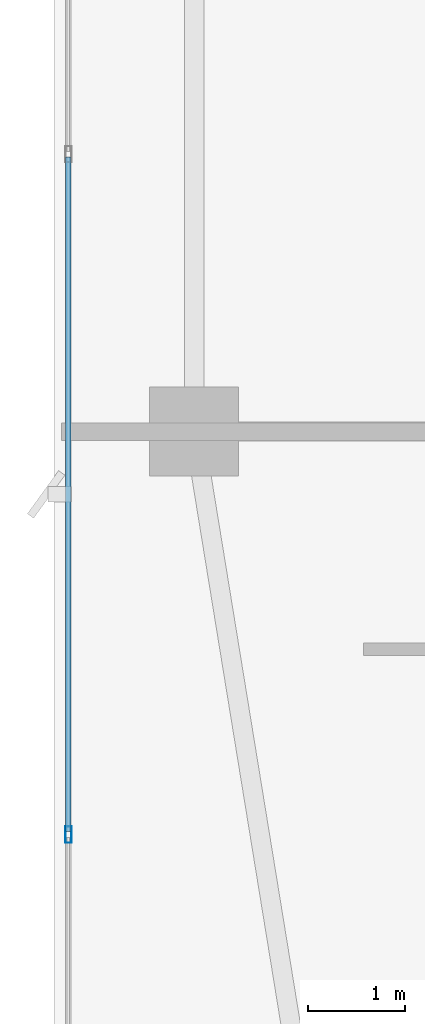
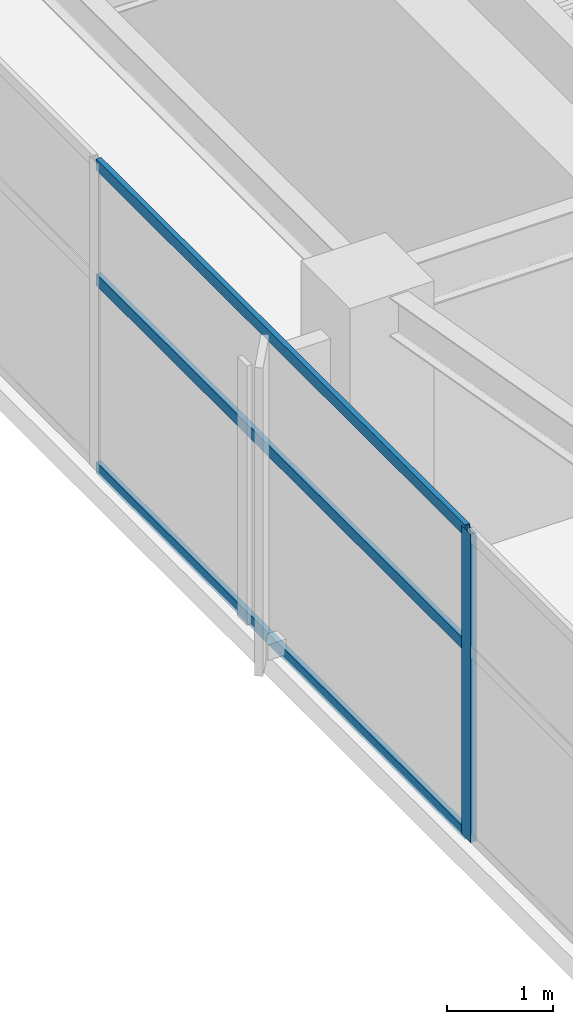
# One storey, part 5 of 28: 4 members, 1 element without a shape of its own.
"""IFC4 building model written with IfcOpenShell, lengths in metres."""

import ifcopenshell
import ifcopenshell.guid

model = None  # the IFC model being written
_history = None  # IfcOwnerHistory: only IFC2X3 demands one
_inside = {}  # id of a spatial element -> (the spatial element, [elements in it])
_under = {}  # id of a project, library or spatial element -> (it, [spatial elements below it])
_declared = {}  # id of a project -> (the project, [libraries it declares])
_typed = {}  # id of a type object -> (the type object, [elements of that type])
_made_of = {}  # id of a material, layer set ... -> (it, [elements and type objects made of it])


def new_model(schema):
    """Start an empty IFC model of exactly this schema.

    Asked for "IFC4X3", IfcOpenShell would pick the latest addendum, in which some entities
    have other attributes; the version numbers below select the first issue.
    IFC2X3 requires an IfcOwnerHistory on every rooted entity: one is made here for all.
    """
    global model, _history
    if schema == "IFC4X3":
        model = ifcopenshell.file(schema_version=(4, 3, 0, 0))
    else:
        model = ifcopenshell.file(schema=schema)
    _inside.clear()
    _under.clear()
    _declared.clear()
    _typed.clear()
    _made_of.clear()
    _history = None
    if model.schema == "IFC2X3":
        org = make("IfcOrganization", Name="unknown")
        user = make(
            "IfcPersonAndOrganization",
            ThePerson=make("IfcPerson", FamilyName="unknown"),
            TheOrganization=org,
        )
        app = make(
            "IfcApplication",
            ApplicationDeveloper=org,
            Version="unknown",
            ApplicationFullName="unknown",
            ApplicationIdentifier="unknown",
        )
        _history = make(
            "IfcOwnerHistory",
            OwningUser=user,
            OwningApplication=app,
            ChangeAction="ADDED",
            CreationDate=0,
        )
    return model


def make(cls, **values):
    """One entity of the class cls with the attributes given. An attribute that is None is left unset."""
    return model.create_entity(
        cls, **{name: value for name, value in values.items() if value is not None}
    )


def rooted(cls, **values):
    """An entity with a GlobalId (a new one), such as an element, a storey or a relation."""
    return make(cls, GlobalId=ifcopenshell.guid.new(), OwnerHistory=_history, **values)


def si_unit(unit_type, name, prefix=None):
    """IfcSIUnit, for example si_unit("LENGTHUNIT", "METRE", prefix="MILLI")."""
    return make("IfcSIUnit", UnitType=unit_type, Prefix=prefix, Name=name)


def assignment(units):
    """IfcUnitAssignment: the units of a project."""
    return None if units is None else make("IfcUnitAssignment", Units=units)


def point(xyz):
    """IfcCartesianPoint."""
    return None if xyz is None else make("IfcCartesianPoint", Coordinates=xyz)


def direction(xyz):
    """IfcDirection."""
    return None if xyz is None else make("IfcDirection", DirectionRatios=xyz)


def frame(location, z_axis=None, x_axis=None):
    """IfcAxis2Placement3D, a coordinate frame: its origin and axes. An axis left out is left unset."""
    return make(
        "IfcAxis2Placement3D",
        Location=point(location),
        Axis=direction(z_axis),
        RefDirection=direction(x_axis),
    )


def frame_2d(location, x_axis=None):
    """IfcAxis2Placement2D, a coordinate frame in the plane: its origin and x axis."""
    return make(
        "IfcAxis2Placement2D", Location=point(location), RefDirection=direction(x_axis)
    )


def origin():
    """The frame at (0, 0, 0) with its axes left unset."""
    return frame((0.0, 0.0, 0.0))


def origin_2d():
    """The frame at (0, 0) in the plane with its x axis left unset."""
    return frame_2d((0.0, 0.0))


def place(relative_to, where):
    """IfcLocalPlacement: puts the frame where relative to a parent placement (None: the world)."""
    return make(
        "IfcLocalPlacement", PlacementRelTo=relative_to, RelativePlacement=where
    )


def context(
    kind, dimensions, precision=None, world=None, true_north=None, identifier=None
):
    """IfcGeometricRepresentationContext, for example the 3D "Model" context."""
    return make(
        "IfcGeometricRepresentationContext",
        ContextIdentifier=identifier,
        ContextType=kind,
        CoordinateSpaceDimension=dimensions,
        Precision=precision,
        WorldCoordinateSystem=world,
        TrueNorth=true_north,
    )


def subcontext(parent, identifier, kind, view, scale=None):
    """IfcGeometricRepresentationSubContext, for example "Body" below "Model"."""
    return make(
        "IfcGeometricRepresentationSubContext",
        ContextIdentifier=identifier,
        ContextType=kind,
        ParentContext=parent,
        TargetScale=scale,
        TargetView=view,
    )


def project(units=None, contexts=None):
    """IfcProject with its units and contexts."""
    return rooted(
        "IfcProject",
        Name="project",
        RepresentationContexts=contexts,
        UnitsInContext=assignment(units),
    )


def spatial(cls, under=None, at=None, **own):
    """A site, building, storey or space (cls), placed at a placement, below another one or the project."""
    s = rooted(cls, ObjectPlacement=at, **own)
    if under is not None:
        _under.setdefault(under.id(), (under, []))[1].append(s)
    return s


def profile(cls, at=None, kind="AREA", **sizes):
    """A parametric profile (cls). Its sizes go by their IFC names, for example OverallWidth=200.0."""
    return make(cls, ProfileType=kind, Position=at, **sizes)


def hollow_rectangle(**sizes):
    """IfcRectangleHollowProfileDef."""
    return profile("IfcRectangleHollowProfileDef", **sizes)


def extrude(swept, where, along, depth):
    """IfcExtrudedAreaSolid: the profile swept, set in the frame where, extruded along a direction by depth."""
    return make(
        "IfcExtrudedAreaSolid",
        SweptArea=swept,
        Position=where,
        ExtrudedDirection=direction(along),
        Depth=depth,
    )


def shape(context_of_items, identifier, shape_type, items):
    """IfcShapeRepresentation: the items that make up one representation, for example the "Body"."""
    return make(
        "IfcShapeRepresentation",
        ContextOfItems=context_of_items,
        RepresentationIdentifier=identifier,
        RepresentationType=shape_type,
        Items=items,
    )


def material(Name=None, Category=None):
    """IfcMaterial."""
    return make("IfcMaterial", Name=Name, Category=Category)


def layer(
    of_material, thickness, ventilated=None, Name=None, Category=None, Priority=None
):
    """IfcMaterialLayer: one layer of a wall or slab, of a material (None: an air gap)."""
    return make(
        "IfcMaterialLayer",
        Material=of_material,
        LayerThickness=thickness,
        IsVentilated=ventilated,
        Name=Name,
        Category=Category,
        Priority=Priority,
    )


def layer_set(layers, Name=None):
    """IfcMaterialLayerSet."""
    return make("IfcMaterialLayerSet", MaterialLayers=layers, LayerSetName=Name)


def material_profile(
    of_material, cross_section, Name=None, Category=None, Priority=None
):
    """IfcMaterialProfile: a cross section and its material."""
    return make(
        "IfcMaterialProfile",
        Name=Name,
        Material=of_material,
        Profile=cross_section,
        Priority=Priority,
        Category=Category,
    )


def profile_set(profiles, Name=None, composite=None):
    """IfcMaterialProfileSet."""
    return make(
        "IfcMaterialProfileSet",
        Name=Name,
        MaterialProfiles=profiles,
        CompositeProfile=composite,
    )


def made_of(thing, what):
    """Note that an element or type object is made of a material, layer set ...; save() writes the relation."""
    if what is not None:
        _made_of.setdefault(what.id(), (what, []))[1].append(thing)
    return thing


def type_object(cls, material=None, **own):
    """A type object (cls), such as IfcWallType, which elements share."""
    return made_of(rooted(cls, **own), material)


def element(
    cls,
    number,
    at=None,
    inside=None,
    cuts=None,
    type_object=None,
    material=None,
    context=None,
    identifier="Body",
    shape_type=None,
    held_by="IfcProductDefinitionShape",
    body=None,
    shapes=None,
    **own,
):
    """One element of the class cls, such as IfcWall. Its Tag is "e" and its number.

    at: its placement. inside: the storey or other place that contains it. cuts: it is an
    opening in that element (IfcRelVoidsElement). A single representation is given by context,
    identifier, shape_type and body (its items); several are given by shapes. held_by: the class
    of the entity that holds the representations. save() writes the other relations.
    """
    e = rooted(cls, Tag="e%d" % number, ObjectPlacement=at, **own)
    if body is not None:
        shapes = [shape(context, identifier, shape_type, body)]
    if shapes is not None:
        e.Representation = make(held_by, Representations=shapes)
    if inside is not None:
        _inside.setdefault(inside.id(), (inside, []))[1].append(e)
    if cuts is not None:
        rooted(
            "IfcRelVoidsElement", RelatingBuildingElement=cuts, RelatedOpeningElement=e
        )
    if type_object is not None:
        _typed.setdefault(type_object.id(), (type_object, []))[1].append(e)
    return made_of(e, material)


def aggregate(whole, parts):
    """IfcRelAggregates: a whole, such as a stair, and the parts it consists of."""
    return rooted("IfcRelAggregates", RelatingObject=whole, RelatedObjects=parts)


def save(model, path):
    """Write the relations noted so far, then the file.

    IfcRelAggregates (storeys below a building ...), IfcRelContainedInSpatialStructure (elements
    in a storey), IfcRelDefinesByType, IfcRelAssociatesMaterial and IfcRelDeclares: one each for
    every whole, place, type object, material and project.
    """
    for whole, parts in _under.values():
        aggregate(whole, parts)
    for where, things in _inside.values():
        rooted(
            "IfcRelContainedInSpatialStructure",
            RelatedElements=things,
            RelatingStructure=where,
        )
    for kind, things in _typed.values():
        rooted("IfcRelDefinesByType", RelatedObjects=things, RelatingType=kind)
    for what, things in _made_of.values():
        rooted("IfcRelAssociatesMaterial", RelatedObjects=things, RelatingMaterial=what)
    for by, libraries in _declared.values():
        rooted("IfcRelDeclares", RelatingContext=by, RelatedDefinitions=libraries)
    model.write(path)


model = new_model("IFC4")

# Units and contexts
model_context = context("Model", 3, precision=1e-05, world=origin(), true_north=direction((0.0, 1.0)))
body_context = subcontext(model_context, "Body", "Model", "MODEL_VIEW")
ifc_project = project(units=[si_unit("LENGTHUNIT", "METRE"), si_unit("AREAUNIT", "SQUARE_METRE"), si_unit("VOLUMEUNIT", "CUBIC_METRE"), si_unit("PLANEANGLEUNIT", "RADIAN"), si_unit("MASSUNIT", "GRAM", prefix="KILO")], contexts=[model_context])

# Site, building, storey
site_placement = place(None, origin())
site = spatial("IfcSite", under=ifc_project, at=site_placement, CompositionType="ELEMENT")
building_placement = place(site_placement, origin())
building = spatial("IfcBuilding", under=site, at=building_placement, Name="Calvorn Quay Hotel", CompositionType="ELEMENT")
storey_placement = place(building_placement, frame((0.0, 0.0, 274.89990234375)))
storey = spatial("IfcBuildingStorey", under=building, at=storey_placement, Name="L68", CompositionType="ELEMENT", Elevation=274.89990234375)

# Curtain wall, members
ifc_material_1 = material(Name="Champagne Bronze Anodised Aluminium and Low-E Glass", Category="aluminium")
ifc_layer = layer(ifc_material_1, 0.219970703125)
ifc_layer_set = layer_set([ifc_layer], Name="CW-SYS-Z4")
curtain_wall_type = type_object("IfcCurtainWallType", Name="CW-SYS-Z4", PredefinedType="NOTDEFINED", material=ifc_layer_set)
curtain_wall_placement = place(storey_placement, origin())
curtain_wall = element("IfcCurtainWall", 1, at=curtain_wall_placement, inside=storey, type_object=curtain_wall_type, Name="Tower West Curtain Wall (L68)", PredefinedType="NOTDEFINED")
ifc_material_2 = material(Name="Champagne Bronze Anodised Aluminium 6063-T6", Category="aluminium")
ifc_material_profile_1 = material_profile(ifc_material_2, hollow_rectangle(XDim=0.06494140625, YDim=0.169921875, WallThickness=0.00341796875, at=origin_2d()), Name="ALU-M170x65x3.5")
ifc_profile_set_1 = profile_set([ifc_material_profile_1], Name="Champagne Bronze Anodised Aluminium 6063-T6")
member_type_1 = type_object("IfcMemberType", Name="CW-SYS-Z4-MUL", PredefinedType="MULLION", material=ifc_profile_set_1)
member_1_placement = place(storey_placement, frame((0.14990234375, 12.63330078125, 0.0), z_axis=(0.0, 0.0, 1.0), x_axis=(-1.0, 0.0, 0.0)))
member_1 = element("IfcMember", 2, at=member_1_placement, type_object=member_type_1, Name="CW-L68-W mullion 2", PredefinedType="MULLION", context=body_context, shape_type="SweptSolid", body=[
    extrude(hollow_rectangle(XDim=0.06494140625, YDim=0.169921875, WallThickness=0.00341796875, at=origin_2d()), origin(), (0.0, 0.0, 1.0), 3.56005859375),
])
ifc_material_3 = material(Name="Champagne Bronze Anodised Aluminium 6063-T6", Category="aluminium")
ifc_material_profile_2 = material_profile(ifc_material_3, hollow_rectangle(XDim=0.054931640625, YDim=0.1298828125, WallThickness=0.003173828125, at=origin_2d()), Name="ALU-T130x55x3.2")
ifc_profile_set_2 = profile_set([ifc_material_profile_2], Name="Champagne Bronze Anodised Aluminium 6063-T6")
member_type_2 = type_object("IfcMemberType", Name="CW-SYS-Z4-TRN", PredefinedType="USERDEFINED", material=ifc_profile_set_2)
member_2_placement = place(storey_placement, frame((0.14990234375, 12.663330078125, 0.030029296875), z_axis=(0.0, 1.0, 0.0), x_axis=(-1.0, 0.0, 0.0)))
member_2 = element("IfcMember", 3, at=member_2_placement, type_object=member_type_2, Name="CW-L68-W transom 2.1", ObjectType="TRANSOM", PredefinedType="USERDEFINED", context=body_context, shape_type="SweptSolid", body=[
    extrude(hollow_rectangle(XDim=0.054931640625, YDim=0.1298828125, WallThickness=0.003173828125, at=origin_2d()), origin(), (0.0, 0.0, 1.0), 6.973388671875),
])
member_3_placement = place(storey_placement, frame((0.14990234375, 12.663330078125, 2.2001953125), z_axis=(0.0, 1.0, 0.0), x_axis=(-1.0, 0.0, 0.0)))
member_3 = element("IfcMember", 4, at=member_3_placement, type_object=member_type_2, Name="CW-L68-W transom 2.2", ObjectType="TRANSOM", PredefinedType="USERDEFINED", context=body_context, shape_type="SweptSolid", body=[
    extrude(hollow_rectangle(XDim=0.054931640625, YDim=0.1298828125, WallThickness=0.003173828125, at=origin_2d()), origin(), (0.0, 0.0, 1.0), 6.973388671875),
])
member_4_placement = place(storey_placement, frame((0.14990234375, 12.663330078125, 3.530029296875), z_axis=(0.0, 1.0, 0.0), x_axis=(-1.0, 0.0, 0.0)))
member_4 = element("IfcMember", 5, at=member_4_placement, type_object=member_type_2, Name="CW-L68-W transom 2.3", ObjectType="TRANSOM", PredefinedType="USERDEFINED", context=body_context, shape_type="SweptSolid", body=[
    extrude(hollow_rectangle(XDim=0.054931640625, YDim=0.1298828125, WallThickness=0.003173828125, at=origin_2d()), origin(), (0.0, 0.0, 1.0), 6.973388671875),
])
aggregate(curtain_wall, [member_1, member_2, member_3, member_4])

save(model, "model.ifc")
